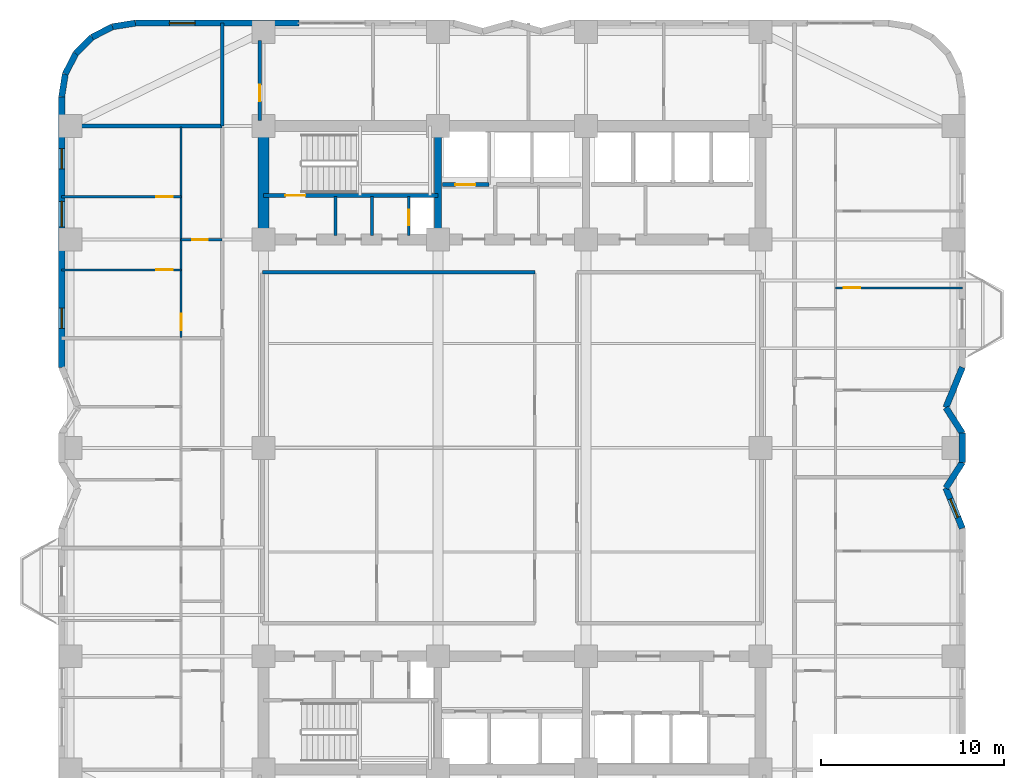
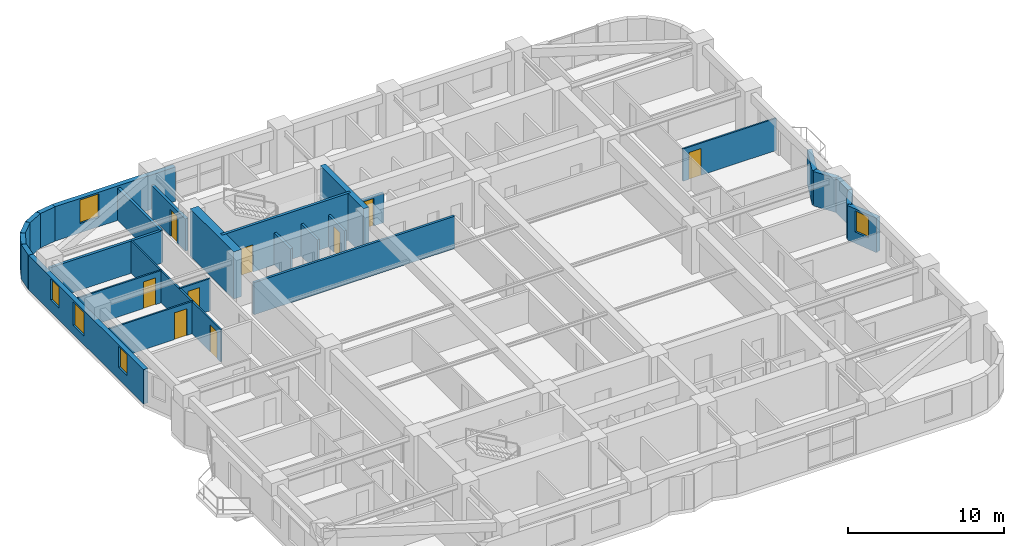
# One storey, part 9 of 13: 28 walls, 9 doors, 5 windows, 14 openings.
"""IFC4 building model written with IfcOpenShell, lengths in metres."""

import ifcopenshell
import ifcopenshell.guid

model = None  # the IFC model being written
_history = None  # IfcOwnerHistory: only IFC2X3 demands one
_inside = {}  # id of a spatial element -> (the spatial element, [elements in it])
_under = {}  # id of a project, library or spatial element -> (it, [spatial elements below it])
_declared = {}  # id of a project -> (the project, [libraries it declares])
_typed = {}  # id of a type object -> (the type object, [elements of that type])
_made_of = {}  # id of a material, layer set ... -> (it, [elements and type objects made of it])


def new_model(schema):
    """Start an empty IFC model of exactly this schema.

    Asked for "IFC4X3", IfcOpenShell would pick the latest addendum, in which some entities
    have other attributes; the version numbers below select the first issue.
    IFC2X3 requires an IfcOwnerHistory on every rooted entity: one is made here for all.
    """
    global model, _history
    if schema == "IFC4X3":
        model = ifcopenshell.file(schema_version=(4, 3, 0, 0))
    else:
        model = ifcopenshell.file(schema=schema)
    _inside.clear()
    _under.clear()
    _declared.clear()
    _typed.clear()
    _made_of.clear()
    _history = None
    if model.schema == "IFC2X3":
        org = make("IfcOrganization", Name="unknown")
        user = make(
            "IfcPersonAndOrganization",
            ThePerson=make("IfcPerson", FamilyName="unknown"),
            TheOrganization=org,
        )
        app = make(
            "IfcApplication",
            ApplicationDeveloper=org,
            Version="unknown",
            ApplicationFullName="unknown",
            ApplicationIdentifier="unknown",
        )
        _history = make(
            "IfcOwnerHistory",
            OwningUser=user,
            OwningApplication=app,
            ChangeAction="ADDED",
            CreationDate=0,
        )
    return model


def make(cls, **values):
    """One entity of the class cls with the attributes given. An attribute that is None is left unset."""
    return model.create_entity(
        cls, **{name: value for name, value in values.items() if value is not None}
    )


def rooted(cls, **values):
    """An entity with a GlobalId (a new one), such as an element, a storey or a relation."""
    return make(cls, GlobalId=ifcopenshell.guid.new(), OwnerHistory=_history, **values)


def si_unit(unit_type, name, prefix=None):
    """IfcSIUnit, for example si_unit("LENGTHUNIT", "METRE", prefix="MILLI")."""
    return make("IfcSIUnit", UnitType=unit_type, Prefix=prefix, Name=name)


def assignment(units):
    """IfcUnitAssignment: the units of a project."""
    return None if units is None else make("IfcUnitAssignment", Units=units)


def point(xyz):
    """IfcCartesianPoint."""
    return None if xyz is None else make("IfcCartesianPoint", Coordinates=xyz)


def direction(xyz):
    """IfcDirection."""
    return None if xyz is None else make("IfcDirection", DirectionRatios=xyz)


def frame(location, z_axis=None, x_axis=None):
    """IfcAxis2Placement3D, a coordinate frame: its origin and axes. An axis left out is left unset."""
    return make(
        "IfcAxis2Placement3D",
        Location=point(location),
        Axis=direction(z_axis),
        RefDirection=direction(x_axis),
    )


def frame_2d(location, x_axis=None):
    """IfcAxis2Placement2D, a coordinate frame in the plane: its origin and x axis."""
    return make(
        "IfcAxis2Placement2D", Location=point(location), RefDirection=direction(x_axis)
    )


def origin():
    """The frame at (0, 0, 0) with its axes left unset."""
    return frame((0.0, 0.0, 0.0))


def place(relative_to, where):
    """IfcLocalPlacement: puts the frame where relative to a parent placement (None: the world)."""
    return make(
        "IfcLocalPlacement", PlacementRelTo=relative_to, RelativePlacement=where
    )


def context(
    kind, dimensions, precision=None, world=None, true_north=None, identifier=None
):
    """IfcGeometricRepresentationContext, for example the 3D "Model" context."""
    return make(
        "IfcGeometricRepresentationContext",
        ContextIdentifier=identifier,
        ContextType=kind,
        CoordinateSpaceDimension=dimensions,
        Precision=precision,
        WorldCoordinateSystem=world,
        TrueNorth=true_north,
    )


def subcontext(parent, identifier, kind, view, scale=None):
    """IfcGeometricRepresentationSubContext, for example "Body" below "Model"."""
    return make(
        "IfcGeometricRepresentationSubContext",
        ContextIdentifier=identifier,
        ContextType=kind,
        ParentContext=parent,
        TargetScale=scale,
        TargetView=view,
    )


def project(units=None, contexts=None):
    """IfcProject with its units and contexts."""
    return rooted(
        "IfcProject",
        Name="project",
        RepresentationContexts=contexts,
        UnitsInContext=assignment(units),
    )


def spatial(cls, under=None, at=None, **own):
    """A site, building, storey or space (cls), placed at a placement, below another one or the project."""
    s = rooted(cls, ObjectPlacement=at, **own)
    if under is not None:
        _under.setdefault(under.id(), (under, []))[1].append(s)
    return s


def profile(cls, at=None, kind="AREA", **sizes):
    """A parametric profile (cls). Its sizes go by their IFC names, for example OverallWidth=200.0."""
    return make(cls, ProfileType=kind, Position=at, **sizes)


def rectangle(**sizes):
    """IfcRectangleProfileDef."""
    return profile("IfcRectangleProfileDef", **sizes)


def extrude(swept, where, along, depth):
    """IfcExtrudedAreaSolid: the profile swept, set in the frame where, extruded along a direction by depth."""
    return make(
        "IfcExtrudedAreaSolid",
        SweptArea=swept,
        Position=where,
        ExtrudedDirection=direction(along),
        Depth=depth,
    )


def shape(context_of_items, identifier, shape_type, items):
    """IfcShapeRepresentation: the items that make up one representation, for example the "Body"."""
    return make(
        "IfcShapeRepresentation",
        ContextOfItems=context_of_items,
        RepresentationIdentifier=identifier,
        RepresentationType=shape_type,
        Items=items,
    )


def material(Name=None, Category=None):
    """IfcMaterial."""
    return make("IfcMaterial", Name=Name, Category=Category)


def layer(
    of_material, thickness, ventilated=None, Name=None, Category=None, Priority=None
):
    """IfcMaterialLayer: one layer of a wall or slab, of a material (None: an air gap)."""
    return make(
        "IfcMaterialLayer",
        Material=of_material,
        LayerThickness=thickness,
        IsVentilated=ventilated,
        Name=Name,
        Category=Category,
        Priority=Priority,
    )


def layer_set(layers, Name=None):
    """IfcMaterialLayerSet."""
    return make("IfcMaterialLayerSet", MaterialLayers=layers, LayerSetName=Name)


def made_of(thing, what):
    """Note that an element or type object is made of a material, layer set ...; save() writes the relation."""
    if what is not None:
        _made_of.setdefault(what.id(), (what, []))[1].append(thing)
    return thing


def type_object(cls, material=None, **own):
    """A type object (cls), such as IfcWallType, which elements share."""
    return made_of(rooted(cls, **own), material)


def element(
    cls,
    number,
    at=None,
    inside=None,
    cuts=None,
    type_object=None,
    material=None,
    context=None,
    identifier="Body",
    shape_type=None,
    held_by="IfcProductDefinitionShape",
    body=None,
    shapes=None,
    **own,
):
    """One element of the class cls, such as IfcWall. Its Tag is "e" and its number.

    at: its placement. inside: the storey or other place that contains it. cuts: it is an
    opening in that element (IfcRelVoidsElement). A single representation is given by context,
    identifier, shape_type and body (its items); several are given by shapes. held_by: the class
    of the entity that holds the representations. save() writes the other relations.
    """
    e = rooted(cls, Tag="e%d" % number, ObjectPlacement=at, **own)
    if body is not None:
        shapes = [shape(context, identifier, shape_type, body)]
    if shapes is not None:
        e.Representation = make(held_by, Representations=shapes)
    if inside is not None:
        _inside.setdefault(inside.id(), (inside, []))[1].append(e)
    if cuts is not None:
        rooted(
            "IfcRelVoidsElement", RelatingBuildingElement=cuts, RelatedOpeningElement=e
        )
    if type_object is not None:
        _typed.setdefault(type_object.id(), (type_object, []))[1].append(e)
    return made_of(e, material)


def fill(opening, filler):
    """IfcRelFillsElement: the door or window that sits in an opening."""
    return rooted(
        "IfcRelFillsElement",
        RelatingOpeningElement=opening,
        RelatedBuildingElement=filler,
    )


def aggregate(whole, parts):
    """IfcRelAggregates: a whole, such as a stair, and the parts it consists of."""
    return rooted("IfcRelAggregates", RelatingObject=whole, RelatedObjects=parts)


def save(model, path):
    """Write the relations noted so far, then the file.

    IfcRelAggregates (storeys below a building ...), IfcRelContainedInSpatialStructure (elements
    in a storey), IfcRelDefinesByType, IfcRelAssociatesMaterial and IfcRelDeclares: one each for
    every whole, place, type object, material and project.
    """
    for whole, parts in _under.values():
        aggregate(whole, parts)
    for where, things in _inside.values():
        rooted(
            "IfcRelContainedInSpatialStructure",
            RelatedElements=things,
            RelatingStructure=where,
        )
    for kind, things in _typed.values():
        rooted("IfcRelDefinesByType", RelatedObjects=things, RelatingType=kind)
    for what, things in _made_of.values():
        rooted("IfcRelAssociatesMaterial", RelatedObjects=things, RelatingMaterial=what)
    for by, libraries in _declared.values():
        rooted("IfcRelDeclares", RelatingContext=by, RelatedDefinitions=libraries)
    model.write(path)


model = new_model("IFC4")

# Units and contexts
model_context = context("Model", 3, precision=1e-05, world=origin(), true_north=direction((0.0, 1.0)))
body_context = subcontext(model_context, "Body", "Model", "MODEL_VIEW")
ifc_project = project(units=[si_unit("LENGTHUNIT", "METRE"), si_unit("AREAUNIT", "SQUARE_METRE"), si_unit("VOLUMEUNIT", "CUBIC_METRE"), si_unit("PLANEANGLEUNIT", "RADIAN"), si_unit("MASSUNIT", "GRAM", prefix="KILO")], contexts=[model_context])

# Site, building, storey
site_placement = place(None, origin())
site = spatial("IfcSite", under=ifc_project, at=site_placement, CompositionType="ELEMENT")
building_placement = place(site_placement, origin())
building = spatial("IfcBuilding", under=site, at=building_placement, Name="Svetorya Sky Lyceum", CompositionType="ELEMENT")
storey_placement = place(building_placement, frame((0.0, 0.0, 39.89990234375)))
storey = spatial("IfcBuildingStorey", under=building, at=storey_placement, Name="L09", CompositionType="ELEMENT", Elevation=39.89990234375)

# Walls
ifc_material_1 = material(Name="Concrete C40/50", Category="concrete")
ifc_layer_1 = layer(ifc_material_1, 0.39990234375)
ifc_layer_set_1 = layer_set([ifc_layer_1], Name="Concrete C40/50")
wall_type_1 = type_object("IfcWallType", Name="WL-CORE-400", PredefinedType="SHEAR", material=ifc_layer_set_1)
wall_1_placement = place(storey_placement, frame((35.14990234375, 39.89990234375, 0.0), z_axis=(0.0, 0.0, 1.0), x_axis=(0.0, 1.0, 0.0)))
element("IfcWall", 1, at=wall_1_placement, inside=storey, type_object=wall_type_1, Name="L09 NC Internal Shear Web WEB1", PredefinedType="SHEAR", context=body_context, shape_type="SweptSolid", body=[
    extrude(rectangle(XDim=5.60009765625, YDim=0.39990234375, at=frame_2d((2.800048828125, 0.0))), origin(), (0.0, 0.0, 1.0), 3.7001953125),
])
ifc_material_2 = material(Name="Concrete C60/75", Category="concrete")
ifc_layer_2 = layer(ifc_material_2, 0.60009765625)
ifc_layer_set_2 = layer_set([ifc_layer_2], Name="Concrete C60/75")
wall_type_2 = type_object("IfcWallType", Name="WL-CORE-600", PredefinedType="SHEAR", material=ifc_layer_set_2)
wall_2_placement = place(storey_placement, frame((25.60009765625, 39.89990234375, 0.0), z_axis=(0.0, 0.0, 1.0), x_axis=(0.0, 1.0, 0.0)))
element("IfcWall", 2, at=wall_2_placement, inside=storey, type_object=wall_type_2, Name="L09 NC West Core Shear Wall", PredefinedType="SHEAR", context=body_context, shape_type="SweptSolid", body=[
    extrude(rectangle(XDim=5.60009765625, YDim=0.60009765625, at=frame_2d((2.800048828125, 0.0))), origin(), (0.0, 0.0, 1.0), 3.7001953125),
])

# Wall, opening, window
ifc_material_3 = material(Name="Putilovo limestone rainscreen on autoclaved cellular masonry", Category="masonry")
ifc_layer_3 = layer(ifc_material_3, 0.340087890625)
ifc_layer_set_3 = layer_set([ifc_layer_3], Name="Putilovo limestone rainscreen on autoclaved cellular masonry")
wall_type_3 = type_object("IfcWallType", Name="WL-EXT-340", PredefinedType="SOLIDWALL", material=ifc_layer_set_3)
wall_3_placement = place(storey_placement, frame((63.830078125, 23.800048828125, 0.0), z_axis=(0.0, 0.0, 1.0), x_axis=(-0.378692835005, 0.925522412865, 0.0)))
wall_3 = element("IfcWall", 3, at=wall_3_placement, inside=storey, type_object=wall_type_3, Name="L09 Limestone Exterior Wall 18M", PredefinedType="SOLIDWALL", context=body_context, shape_type="SweptSolid", body=[
    extrude(rectangle(XDim=2.376953125, YDim=0.340087890625, at=frame_2d((1.1884765625, 0.0))), origin(), (0.0, 0.0, 1.0), 2.7001953125),
])
opening_1_placement = place(wall_3_placement, frame((0.638427734375, 0.0, 0.889892578125)))
opening_1 = element("IfcOpeningElement", 4, at=opening_1_placement, cuts=wall_3, Name="Opening W-R3", PredefinedType="OPENING", context=body_context, shape_type="SweptSolid", body=[
    extrude(rectangle(XDim=1.10009765625, YDim=1.64990234375, at=frame_2d((0.550048828125, 0.824951171875))), frame((0.0, 0.179931640625, 0.0), z_axis=(0.0, -1.0, 0.0), x_axis=(1.0, 0.0, 0.0)), (0.0, 0.0, 1.0), 0.360107421875),
])
ifc_material_4 = material(Name="Thermally broken aluminium frame with triple low-E glazing", Category="aluminium")
window_type_1 = type_object("IfcWindowType", Name="WN-RES-110", PartitioningType="SINGLE_PANEL", PredefinedType="WINDOW", material=ifc_material_4)
window_1_placement = place(opening_1_placement, origin())
window_1 = element("IfcWindow", 5, at=window_1_placement, inside=storey, type_object=window_type_1, Name="L09 Facade Window W-R3.18M.1", OverallHeight=1.64990234375, OverallWidth=1.10009765625, PartitioningType="SINGLE_PANEL", PredefinedType="WINDOW", context=body_context, shape_type="SweptSolid", body=[
    extrude(rectangle(XDim=1.10009765625, YDim=1.64990234375, at=frame_2d((0.550048828125, 0.824951171875))), frame((0.0, 0.030029296875, 0.0), z_axis=(0.0, -1.0, 0.0), x_axis=(1.0, 0.0, 0.0)), (0.0, 0.0, 1.0), 0.06005859375),
])
fill(opening_1, window_1)

# Walls
wall_4_placement = place(storey_placement, frame((62.929931640625, 26.0, 0.0), z_axis=(0.0, 0.0, 1.0), x_axis=(0.540846555596, 0.841121277403, 0.0)))
element("IfcWall", 6, at=wall_4_placement, inside=storey, type_object=wall_type_3, Name="L09 Limestone Exterior Wall 19M", PredefinedType="SOLIDWALL", context=body_context, shape_type="SweptSolid", body=[
    extrude(rectangle(XDim=1.664306640625, YDim=0.340087890625, at=frame_2d((0.83203125, 0.0))), origin(), (0.0, 0.0, 1.0), 2.7001953125),
])
wall_5_placement = place(storey_placement, frame((63.830078125, 27.39990234375, 0.0), z_axis=(0.0, 0.0, 1.0), x_axis=(0.0, 1.0, 0.0)))
element("IfcWall", 7, at=wall_5_placement, inside=storey, type_object=wall_type_3, Name="L09 Limestone Exterior Wall 20M", PredefinedType="SOLIDWALL", context=body_context, shape_type="SweptSolid", body=[
    extrude(rectangle(XDim=1.60009765625, YDim=0.340087890625, at=frame_2d((0.800048828125, 0.0))), origin(), (0.0, 0.0, 1.0), 2.7001953125),
])
wall_6_placement = place(storey_placement, frame((63.830078125, 29.0, 0.0), z_axis=(0.0, 0.0, 1.0), x_axis=(-0.540846555596, 0.841121277403, 0.0)))
element("IfcWall", 8, at=wall_6_placement, inside=storey, type_object=wall_type_3, Name="L09 Limestone Exterior Wall 21M", PredefinedType="SOLIDWALL", context=body_context, shape_type="SweptSolid", body=[
    extrude(rectangle(XDim=1.664306640625, YDim=0.340087890625, at=frame_2d((0.83203125, 0.0))), origin(), (0.0, 0.0, 1.0), 2.7001953125),
])
wall_7_placement = place(storey_placement, frame((62.929931640625, 30.39990234375, 0.0), z_axis=(0.0, 0.0, 1.0), x_axis=(0.378656839344, 0.925537140269, 0.0)))
element("IfcWall", 9, at=wall_7_placement, inside=storey, type_object=wall_type_3, Name="L09 Limestone Exterior Wall 22M", PredefinedType="SOLIDWALL", context=body_context, shape_type="SweptSolid", body=[
    extrude(rectangle(XDim=2.377197265625, YDim=0.340087890625, at=frame_2d((1.1884765625, 0.0))), origin(), (0.0, 0.0, 1.0), 2.7001953125),
])

# Wall, opening, window
wall_8_placement = place(storey_placement, frame((27.550048828125, 51.429931640625, 0.0), z_axis=(0.0, 0.0, 1.0), x_axis=(-1.0, 0.0, 0.0)))
wall_8 = element("IfcWall", 10, at=wall_8_placement, inside=storey, type_object=wall_type_3, Name="L09 Limestone Exterior Wall 34B", PredefinedType="SOLIDWALL", context=body_context, shape_type="SweptSolid", body=[
    extrude(rectangle(XDim=8.949951171875, YDim=0.340087890625, at=frame_2d((4.47509765625, 0.0))), origin(), (0.0, 0.0, 1.0), 2.7001953125),
])
opening_2_placement = place(wall_8_placement, frame((5.6875, 0.0, 0.72998046875)))
opening_2 = element("IfcOpeningElement", 11, at=opening_2_placement, cuts=wall_8, Name="Opening W-R2", PredefinedType="OPENING", context=body_context, shape_type="SweptSolid", body=[
    extrude(rectangle(XDim=1.39990234375, YDim=1.85009765625, at=frame_2d((0.699951171875, 0.925048828125))), frame((0.0, 0.179931640625, 0.0), z_axis=(0.0, -1.0, 0.0), x_axis=(1.0, 0.0, 0.0)), (0.0, 0.0, 1.0), 0.360107421875),
])
window_type_2 = type_object("IfcWindowType", Name="WN-RES-140", PartitioningType="SINGLE_PANEL", PredefinedType="WINDOW", material=ifc_material_4)
window_2_placement = place(opening_2_placement, origin())
window_2 = element("IfcWindow", 12, at=window_2_placement, inside=storey, type_object=window_type_2, Name="L09 Facade Window W-R2.34B.1", OverallHeight=1.85009765625, OverallWidth=1.39990234375, PartitioningType="SINGLE_PANEL", PredefinedType="WINDOW", context=body_context, shape_type="SweptSolid", body=[
    extrude(rectangle(XDim=1.39990234375, YDim=1.85009765625, at=frame_2d((0.699951171875, 0.925048828125))), frame((0.0, 0.030029296875, 0.0), z_axis=(0.0, -1.0, 0.0), x_axis=(1.0, 0.0, 0.0)), (0.0, 0.0, 1.0), 0.06005859375),
])
fill(opening_2, window_2)

# Walls
wall_9_placement = place(storey_placement, frame((18.60009765625, 51.429931640625, 0.0), z_axis=(0.0, 0.0, 1.0), x_axis=(-0.98771582066, -0.156260864002, 0.0)))
element("IfcWall", 13, at=wall_9_placement, inside=storey, type_object=wall_type_3, Name="L09 Limestone Exterior Wall 35M", PredefinedType="SOLIDWALL", context=body_context, shape_type="SweptSolid", body=[
    extrude(rectangle(XDim=1.2607421875, YDim=0.340087890625, at=frame_2d((0.63037109375, 0.0))), origin(), (0.0, 0.0, 1.0), 2.7001953125),
])
for number, where, z_axis, x_axis, name in (
    (14, (17.354736328125, 51.23291015625, 0.0), (0.0, 0.0, 1.0), (-0.890993689142, -0.454015689056, 0.0), "L09 Limestone Exterior Wall 36M"),
    (15, (16.231201171875, 50.660400390625, 0.0), (0.0, 0.0, 1.0), (-0.707106781187, -0.707106781187, 0.0), "L09 Limestone Exterior Wall 37M"),
    (16, (15.339599609375, 49.768798828125, 0.0), (0.0, 0.0, 1.0), (-0.454015689056, -0.890993689142, 0.0), "L09 Limestone Exterior Wall 38M"),
):
    element("IfcWall", number, at=place(storey_placement, frame(where, z_axis=z_axis, x_axis=x_axis)), inside=storey, type_object=wall_type_3, Name=name, PredefinedType="SOLIDWALL", context=body_context, shape_type="SweptSolid", body=[
        extrude(rectangle(XDim=1.260986328125, YDim=0.340087890625, at=frame_2d((0.63037109375, 0.0))), origin(), (0.0, 0.0, 1.0), 2.7001953125),
    ])
wall_10_placement = place(storey_placement, frame((14.76708984375, 48.645263671875, 0.0), z_axis=(0.0, 0.0, 1.0), x_axis=(-0.156260864002, -0.98771582066, 0.0)))
element("IfcWall", 17, at=wall_10_placement, inside=storey, type_object=wall_type_3, Name="L09 Limestone Exterior Wall 39M", PredefinedType="SOLIDWALL", context=body_context, shape_type="SweptSolid", body=[
    extrude(rectangle(XDim=1.2607421875, YDim=0.340087890625, at=frame_2d((0.63037109375, 0.0))), origin(), (0.0, 0.0, 1.0), 2.7001953125),
])

# Wall, openings, windows
wall_11_placement = place(storey_placement, frame((14.570068359375, 47.39990234375, 0.0), z_axis=(0.0, 0.0, 1.0), x_axis=(0.0, -1.0, 0.0)))
wall_11 = element("IfcWall", 18, at=wall_11_placement, inside=storey, type_object=wall_type_3, Name="L09 Limestone Exterior Wall 40M", PredefinedType="SOLIDWALL", context=body_context, shape_type="SweptSolid", body=[
    extrude(rectangle(XDim=14.7998046875, YDim=0.340087890625, at=frame_2d((7.39990234375, 0.0))), origin(), (0.0, 0.0, 1.0), 2.7001953125),
])
opening_3_placement = place(wall_11_placement, frame((2.83740234375, 0.0, 0.929931640625)))
opening_3 = element("IfcOpeningElement", 19, at=opening_3_placement, cuts=wall_11, Name="Opening W-R3", PredefinedType="OPENING", context=body_context, shape_type="SweptSolid", body=[
    extrude(rectangle(XDim=1.10009765625, YDim=1.64990234375, at=frame_2d((0.550048828125, 0.824951171875))), frame((0.0, 0.179931640625, 0.0), z_axis=(0.0, -1.0, 0.0), x_axis=(1.0, 0.0, 0.0)), (0.0, 0.0, 1.0), 0.360107421875),
])
opening_4_placement = place(wall_11_placement, frame((5.719970703125, 0.0, 0.68994140625)))
opening_4 = element("IfcOpeningElement", 20, at=opening_4_placement, cuts=wall_11, Name="Opening W-R2", PredefinedType="OPENING", context=body_context, shape_type="SweptSolid", body=[
    extrude(rectangle(XDim=1.39990234375, YDim=1.85009765625, at=frame_2d((0.699951171875, 0.925048828125))), frame((0.0, 0.179931640625, 0.0), z_axis=(0.0, -1.0, 0.0), x_axis=(1.0, 0.0, 0.0)), (0.0, 0.0, 1.0), 0.360107421875),
])
opening_5_placement = place(wall_11_placement, frame((11.5625, 0.0, 0.929931640625)))
opening_5 = element("IfcOpeningElement", 21, at=opening_5_placement, cuts=wall_11, Name="Opening W-R3", PredefinedType="OPENING", context=body_context, shape_type="SweptSolid", body=[
    extrude(rectangle(XDim=1.10009765625, YDim=1.64990234375, at=frame_2d((0.550048828125, 0.824951171875))), frame((0.0, 0.179931640625, 0.0), z_axis=(0.0, -1.0, 0.0), x_axis=(1.0, 0.0, 0.0)), (0.0, 0.0, 1.0), 0.360107421875),
])
window_3_placement = place(opening_3_placement, origin())
window_3 = element("IfcWindow", 22, at=window_3_placement, inside=storey, type_object=window_type_1, Name="L09 Facade Window W-R3.40M.1", OverallHeight=1.64990234375, OverallWidth=1.10009765625, PartitioningType="SINGLE_PANEL", PredefinedType="WINDOW", context=body_context, shape_type="SweptSolid", body=[
    extrude(rectangle(XDim=1.10009765625, YDim=1.64990234375, at=frame_2d((0.550048828125, 0.824951171875))), frame((0.0, 0.030029296875, 0.0), z_axis=(0.0, -1.0, 0.0), x_axis=(1.0, 0.0, 0.0)), (0.0, 0.0, 1.0), 0.06005859375),
])
fill(opening_3, window_3)
window_4_placement = place(opening_5_placement, origin())
window_4 = element("IfcWindow", 23, at=window_4_placement, inside=storey, type_object=window_type_1, Name="L09 Facade Window W-R3.40M.2", OverallHeight=1.64990234375, OverallWidth=1.10009765625, PartitioningType="SINGLE_PANEL", PredefinedType="WINDOW", context=body_context, shape_type="SweptSolid", body=[
    extrude(rectangle(XDim=1.10009765625, YDim=1.64990234375, at=frame_2d((0.550048828125, 0.824951171875))), frame((0.0, 0.030029296875, 0.0), z_axis=(0.0, -1.0, 0.0), x_axis=(1.0, 0.0, 0.0)), (0.0, 0.0, 1.0), 0.06005859375),
])
fill(opening_5, window_4)
window_5_placement = place(opening_4_placement, origin())
window_5 = element("IfcWindow", 24, at=window_5_placement, inside=storey, type_object=window_type_2, Name="L09 Facade Window W-R2.40M.3", OverallHeight=1.85009765625, OverallWidth=1.39990234375, PartitioningType="SINGLE_PANEL", PredefinedType="WINDOW", context=body_context, shape_type="SweptSolid", body=[
    extrude(rectangle(XDim=1.39990234375, YDim=1.85009765625, at=frame_2d((0.699951171875, 0.925048828125))), frame((0.0, 0.030029296875, 0.0), z_axis=(0.0, -1.0, 0.0), x_axis=(1.0, 0.0, 0.0)), (0.0, 0.0, 1.0), 0.06005859375),
])
fill(opening_4, window_5)

# Wall, opening, door
ifc_material_5 = material(Name="Twin-stud galvanized framing with double fireboard", Category="gypsum")
ifc_layer_4 = layer(ifc_material_5, 0.1201171875)
ifc_layer_set_4 = layer_set([ifc_layer_4], Name="Twin-stud galvanized framing with double fireboard")
wall_type_4 = type_object("IfcWallType", Name="WL-PART-120", PredefinedType="PARTITIONING", material=ifc_layer_set_4)
wall_12_placement = place(storey_placement, frame((21.10009765625, 39.583984375, 0.0), z_axis=(0.0, 0.0, 1.0), x_axis=(1.0, 0.0, 0.0)))
wall_12 = element("IfcWall", 25, at=wall_12_placement, inside=storey, type_object=wall_type_4, Name="L09 Interior Partition W3-WH1", PredefinedType="PARTITIONING", context=body_context, shape_type="SweptSolid", body=[
    extrude(rectangle(XDim=2.25, YDim=0.1201171875, at=frame_2d((1.125, 0.0))), origin(), (0.0, 0.0, 1.0), 2.530029296875),
])
opening_6_placement = place(wall_12_placement, frame((0.60009765625, 0.0, 0.0)))
opening_6 = element("IfcOpeningElement", 26, at=opening_6_placement, cuts=wall_12, Name="Opening D-BT1", PredefinedType="OPENING", context=body_context, shape_type="SweptSolid", body=[
    extrude(rectangle(XDim=0.85009765625, YDim=2.10009765625, at=frame_2d((0.425048828125, 1.050048828125))), frame((0.0, 0.070068359375, 0.0), z_axis=(0.0, -1.0, 0.0), x_axis=(1.0, 0.0, 0.0)), (0.0, 0.0, 1.0), 0.14013671875),
])
ifc_material_6 = material(Name="Moisture-resistant laminate bathroom door")
door_type_1 = type_object("IfcDoorType", Name="DR-WET-850", OperationType="SINGLE_SWING_LEFT", PredefinedType="DOOR", material=ifc_material_6)
door_1_placement = place(opening_6_placement, origin())
door_1 = element("IfcDoor", 27, at=door_1_placement, inside=storey, type_object=door_type_1, Name="Apartment W3 Bathroom Door", OperationType="SINGLE_SWING_LEFT", OverallHeight=2.10009765625, OverallWidth=0.85009765625, PredefinedType="DOOR", context=body_context, shape_type="SweptSolid", body=[
    extrude(rectangle(XDim=0.85009765625, YDim=2.10009765625, at=frame_2d((0.425048828125, 1.050048828125))), frame((0.0, 0.02490234375, 0.0), z_axis=(0.0, -1.0, 0.0), x_axis=(1.0, 0.0, 0.0)), (0.0, 0.0, 1.0), 0.050048828125),
])
fill(opening_6, door_1)

wall_13_placement = place(storey_placement, frame((14.570068359375, 37.93408203125, 0.0), z_axis=(0.0, 0.0, 1.0), x_axis=(1.0, 0.0, 0.0)))
wall_13 = element("IfcWall", 28, at=wall_13_placement, inside=storey, type_object=wall_type_4, Name="L09 Interior Partition W3-WL1", PredefinedType="PARTITIONING", context=body_context, shape_type="SweptSolid", body=[
    extrude(rectangle(XDim=6.530029296875, YDim=0.1201171875, at=frame_2d((3.26513671875, 0.0))), origin(), (0.0, 0.0, 1.0), 2.530029296875),
])
opening_7_placement = place(wall_13_placement, frame((5.179931640625, 0.0, 0.0)))
opening_7 = element("IfcOpeningElement", 29, at=opening_7_placement, cuts=wall_13, Name="Opening D-RM1", PredefinedType="OPENING", context=body_context, shape_type="SweptSolid", body=[
    extrude(rectangle(XDim=0.89990234375, YDim=2.10009765625, at=frame_2d((0.449951171875, 1.050048828125))), frame((0.0, 0.070068359375, 0.0), z_axis=(0.0, -1.0, 0.0), x_axis=(1.0, 0.0, 0.0)), (0.0, 0.0, 1.0), 0.14013671875),
])
ifc_material_7 = material(Name="Lacquered birch veneer internal door")
door_type_2 = type_object("IfcDoorType", Name="DR-INT-900", OperationType="SINGLE_SWING_LEFT", PredefinedType="DOOR", material=ifc_material_7)
door_2_placement = place(opening_7_placement, origin())
door_2 = element("IfcDoor", 30, at=door_2_placement, inside=storey, type_object=door_type_2, Name="Apartment W3 Master Bedroom Door", OperationType="SINGLE_SWING_LEFT", OverallHeight=2.10009765625, OverallWidth=0.89990234375, PredefinedType="DOOR", context=body_context, shape_type="SweptSolid", body=[
    extrude(rectangle(XDim=0.89990234375, YDim=2.10009765625, at=frame_2d((0.449951171875, 1.050048828125))), frame((0.0, 0.02490234375, 0.0), z_axis=(0.0, -1.0, 0.0), x_axis=(1.0, 0.0, 0.0)), (0.0, 0.0, 1.0), 0.050048828125),
])
fill(opening_7, door_2)

wall_14_placement = place(storey_placement, frame((14.570068359375, 41.93408203125, 0.0), z_axis=(0.0, 0.0, 1.0), x_axis=(1.0, 0.0, 0.0)))
wall_14 = element("IfcWall", 31, at=wall_14_placement, inside=storey, type_object=wall_type_4, Name="L09 Interior Partition W3-WL2", PredefinedType="PARTITIONING", context=body_context, shape_type="SweptSolid", body=[
    extrude(rectangle(XDim=6.530029296875, YDim=0.1201171875, at=frame_2d((3.26513671875, 0.0))), origin(), (0.0, 0.0, 1.0), 2.530029296875),
])
opening_8_placement = place(wall_14_placement, frame((5.179931640625, 0.0, 0.0)))
opening_8 = element("IfcOpeningElement", 32, at=opening_8_placement, cuts=wall_14, Name="Opening D-RM1", PredefinedType="OPENING", context=body_context, shape_type="SweptSolid", body=[
    extrude(rectangle(XDim=0.89990234375, YDim=2.10009765625, at=frame_2d((0.449951171875, 1.050048828125))), frame((0.0, 0.070068359375, 0.0), z_axis=(0.0, -1.0, 0.0), x_axis=(1.0, 0.0, 0.0)), (0.0, 0.0, 1.0), 0.14013671875),
])
door_3_placement = place(opening_8_placement, origin())
door_3 = element("IfcDoor", 33, at=door_3_placement, inside=storey, type_object=door_type_2, Name="Apartment W3 Bedroom 2 Door", OperationType="SINGLE_SWING_RIGHT", OverallHeight=2.10009765625, OverallWidth=0.89990234375, PredefinedType="DOOR", context=body_context, shape_type="SweptSolid", body=[
    extrude(rectangle(XDim=0.89990234375, YDim=2.10009765625, at=frame_2d((0.449951171875, 1.050048828125))), frame((0.0, 0.02490234375, 0.0), z_axis=(0.0, -1.0, 0.0), x_axis=(1.0, 0.0, 0.0)), (0.0, 0.0, 1.0), 0.050048828125),
])
fill(opening_8, door_3)

wall_15_placement = place(storey_placement, frame((21.10009765625, 34.22412109375, 0.0), z_axis=(0.0, 0.0, 1.0), x_axis=(0.0, 1.0, 0.0)))
wall_15 = element("IfcWall", 34, at=wall_15_placement, inside=storey, type_object=wall_type_4, Name="L09 Interior Partition W3-WV", PredefinedType="PARTITIONING", context=body_context, shape_type="SweptSolid", body=[
    extrude(rectangle(XDim=11.535888671875, YDim=0.1201171875, at=frame_2d((5.76806640625, 0.0))), origin(), (0.0, 0.0, 1.0), 2.530029296875),
])
opening_9_placement = place(wall_15_placement, frame((0.409912109375, 0.0, 0.0)))
opening_9 = element("IfcOpeningElement", 35, at=opening_9_placement, cuts=wall_15, Name="Opening D-RM1", PredefinedType="OPENING", context=body_context, shape_type="SweptSolid", body=[
    extrude(rectangle(XDim=0.89990234375, YDim=2.10009765625, at=frame_2d((0.449951171875, 1.050048828125))), frame((0.0, 0.070068359375, 0.0), z_axis=(0.0, -1.0, 0.0), x_axis=(1.0, 0.0, 0.0)), (0.0, 0.0, 1.0), 0.14013671875),
])
door_4_placement = place(opening_9_placement, origin())
door_4 = element("IfcDoor", 36, at=door_4_placement, inside=storey, type_object=door_type_2, Name="Apartment W3 Living Door", OperationType="SINGLE_SWING_RIGHT", OverallHeight=2.10009765625, OverallWidth=0.89990234375, PredefinedType="DOOR", context=body_context, shape_type="SweptSolid", body=[
    extrude(rectangle(XDim=0.89990234375, YDim=2.10009765625, at=frame_2d((0.449951171875, 1.050048828125))), frame((0.0, 0.02490234375, 0.0), z_axis=(0.0, -1.0, 0.0), x_axis=(1.0, 0.0, 0.0)), (0.0, 0.0, 1.0), 0.050048828125),
])
fill(opening_9, door_4)

wall_16_placement = place(storey_placement, frame((56.89990234375, 36.949951171875, 0.0), z_axis=(0.0, 0.0, 1.0), x_axis=(1.0, 0.0, 0.0)))
wall_16 = element("IfcWall", 37, at=wall_16_placement, inside=storey, type_object=wall_type_4, Name="L09 Interior Partition E2-WL2", PredefinedType="PARTITIONING", context=body_context, shape_type="SweptSolid", body=[
    extrude(rectangle(XDim=6.93017578125, YDim=0.1201171875, at=frame_2d((3.465087890625, 0.0))), origin(), (0.0, 0.0, 1.0), 2.530029296875),
])
opening_10_placement = place(wall_16_placement, frame((0.449951171875, 0.0, 0.0)))
opening_10 = element("IfcOpeningElement", 38, at=opening_10_placement, cuts=wall_16, Name="Opening D-RM1", PredefinedType="OPENING", context=body_context, shape_type="SweptSolid", body=[
    extrude(rectangle(XDim=0.89990234375, YDim=2.10009765625, at=frame_2d((0.449951171875, 1.050048828125))), frame((0.0, 0.070068359375, 0.0), z_axis=(0.0, -1.0, 0.0), x_axis=(1.0, 0.0, 0.0)), (0.0, 0.0, 1.0), 0.14013671875),
])
door_5_placement = place(opening_10_placement, origin())
door_5 = element("IfcDoor", 39, at=door_5_placement, inside=storey, type_object=door_type_2, Name="Apartment E2 Bedroom 2 Door", OperationType="SINGLE_SWING_RIGHT", OverallHeight=2.10009765625, OverallWidth=0.89990234375, PredefinedType="DOOR", context=body_context, shape_type="SweptSolid", body=[
    extrude(rectangle(XDim=0.89990234375, YDim=2.10009765625, at=frame_2d((0.449951171875, 1.050048828125))), frame((0.0, 0.02490234375, 0.0), z_axis=(0.0, -1.0, 0.0), x_axis=(1.0, 0.0, 0.0)), (0.0, 0.0, 1.0), 0.050048828125),
])
fill(opening_10, door_5)

ifc_material_8 = material(Name="Autoclaved cellular masonry blockwork with acoustic render", Category="masonry")
ifc_layer_5 = layer(ifc_material_8, 0.14990234375)
ifc_layer_set_5 = layer_set([ifc_layer_5], Name="Autoclaved cellular masonry blockwork with acoustic render")
wall_type_5 = type_object("IfcWallType", Name="WL-PART-150", PredefinedType="PARTITIONING", material=ifc_layer_set_5)
wall_17_placement = place(storey_placement, frame((33.550048828125, 39.820068359375, 0.0), z_axis=(0.0, 0.0, 1.0), x_axis=(0.0, 1.0, 0.0)))
wall_17 = element("IfcWall", 40, at=wall_17_placement, inside=storey, type_object=wall_type_5, Name="L09 Interior Partition NC-RSRW", PredefinedType="PARTITIONING", context=body_context, shape_type="SweptSolid", body=[
    extrude(rectangle(XDim=2.1298828125, YDim=0.14990234375, at=frame_2d((1.06494140625, 0.0))), origin(), (0.0, 0.0, 1.0), 2.530029296875),
])
opening_11_placement = place(wall_17_placement, frame((0.550048828125, 0.0, 0.0)))
opening_11 = element("IfcOpeningElement", 41, at=opening_11_placement, cuts=wall_17, Name="Opening D-SH1", PredefinedType="OPENING", context=body_context, shape_type="SweptSolid", body=[
    extrude(rectangle(XDim=0.85009765625, YDim=2.050048828125, at=frame_2d((0.425048828125, 1.02490234375))), frame((0.0, 0.0849609375, 0.0), z_axis=(0.0, -1.0, 0.0), x_axis=(1.0, 0.0, 0.0)), (0.0, 0.0, 1.0), 0.169921875),
])
ifc_material_9 = material(Name="Insulated galvanized riser inspection fire door")
door_type_3 = type_object("IfcDoorType", Name="DR-SHFT-850", OperationType="SINGLE_SWING_LEFT", PredefinedType="TRAPDOOR", material=ifc_material_9)
door_6_placement = place(opening_11_placement, origin())
door_6 = element("IfcDoor", 42, at=door_6_placement, inside=storey, type_object=door_type_3, Name="L09 North Riser Access Door", OperationType="SINGLE_SWING_LEFT", OverallHeight=2.050048828125, OverallWidth=0.85009765625, PredefinedType="TRAPDOOR", context=body_context, shape_type="SweptSolid", body=[
    extrude(rectangle(XDim=0.85009765625, YDim=2.050048828125, at=frame_2d((0.425048828125, 1.02490234375))), frame((0.0, 0.02490234375, 0.0), z_axis=(0.0, -1.0, 0.0), x_axis=(1.0, 0.0, 0.0)), (0.0, 0.0, 1.0), 0.050048828125),
])
fill(opening_11, door_6)

# Walls
ifc_material_10 = material(Name="Autoclaved cellular masonry blockwork with fire render", Category="masonry")
ifc_layer_6 = layer(ifc_material_10, 0.175048828125)
ifc_layer_set_6 = layer_set([ifc_layer_6], Name="Autoclaved cellular masonry blockwork with fire render")
wall_type_6 = type_object("IfcWallType", Name="WL-PART-175", PredefinedType="PARTITIONING", material=ifc_layer_set_6)
for number, where, z_axis, x_axis, name in (
    (43, (29.550048828125, 39.820068359375, 0.0), (0.0, 0.0, 1.0), (0.0, 1.0, 0.0), "L09 Interior Partition NC-NWD1"),
    (44, (31.550048828125, 39.820068359375, 0.0), (0.0, 0.0, 1.0), (0.0, 1.0, 0.0), "L09 Interior Partition NC-NWD2"),
):
    element("IfcWall", number, at=place(storey_placement, frame(where, z_axis=z_axis, x_axis=x_axis)), inside=storey, type_object=wall_type_6, Name=name, PredefinedType="PARTITIONING", context=body_context, shape_type="SweptSolid", body=[
        extrude(rectangle(XDim=2.1298828125, YDim=0.175048828125, at=frame_2d((1.06494140625, 0.0))), origin(), (0.0, 0.0, 1.0), 2.530029296875),
    ])
wall_18_placement = place(storey_placement, frame((25.550048828125, 37.800048828125, 0.0), z_axis=(0.0, 0.0, 1.0), x_axis=(1.0, 0.0, 0.0)))
element("IfcWall", 45, at=wall_18_placement, inside=storey, type_object=wall_type_6, Name="L09 Interior Partition CN-MID-W", PredefinedType="PARTITIONING", context=body_context, shape_type="SweptSolid", body=[
    extrude(rectangle(XDim=14.89990234375, YDim=0.175048828125, at=frame_2d((7.449951171875, 0.0))), origin(), (0.0, 0.0, 1.0), 2.530029296875),
])

# Wall, opening, door
ifc_material_11 = material(Name="Autoclaved cellular masonry blockwork with gypsum plaster", Category="masonry")
ifc_layer_7 = layer(ifc_material_11, 0.199951171875)
ifc_layer_set_7 = layer_set([ifc_layer_7], Name="Autoclaved cellular masonry blockwork with gypsum plaster")
wall_type_7 = type_object("IfcWallType", Name="WL-PART-200", PredefinedType="PARTITIONING", material=ifc_layer_set_7)
wall_19_placement = place(storey_placement, frame((37.949951171875, 42.60009765625, 0.0), z_axis=(0.0, 0.0, 1.0), x_axis=(-1.0, 0.0, 0.0)))
wall_19 = element("IfcWall", 46, at=wall_19_placement, inside=storey, type_object=wall_type_7, Name="L09 Interior Partition NC-FL1W", PredefinedType="PARTITIONING", context=body_context, shape_type="SweptSolid", body=[
    extrude(rectangle(XDim=2.550048828125, YDim=0.199951171875, at=frame_2d((1.27490234375, 0.0))), origin(), (0.0, 0.0, 1.0), 2.300048828125),
])
opening_12_placement = place(wall_19_placement, frame((0.75, 0.0, 0.0)))
opening_12 = element("IfcOpeningElement", 47, at=opening_12_placement, cuts=wall_19, Name="Opening LD-FL", PredefinedType="OPENING", context=body_context, shape_type="SweptSolid", body=[
    extrude(rectangle(XDim=1.10009765625, YDim=2.14990234375, at=frame_2d((0.550048828125, 1.074951171875))), frame((0.0, 0.10986328125, 0.0), z_axis=(0.0, -1.0, 0.0), x_axis=(1.0, 0.0, 0.0)), (0.0, 0.0, 1.0), 0.219970703125),
])
ifc_material_12 = material(Name="Fire-rated stainless AISI 304 firefighting lift landing door")
door_type_4 = type_object("IfcDoorType", Name="DR-LIFT-1100", OperationType="SLIDING_TO_LEFT", PredefinedType="DOOR", material=ifc_material_12)
door_7_placement = place(opening_12_placement, origin())
door_7 = element("IfcDoor", 48, at=door_7_placement, inside=storey, type_object=door_type_4, Name="L09 Firefighting Lift FL1 Landing Door", OperationType="SLIDING_TO_LEFT", OverallHeight=2.14990234375, OverallWidth=1.10009765625, PredefinedType="DOOR", context=body_context, shape_type="SweptSolid", body=[
    extrude(rectangle(XDim=1.10009765625, YDim=2.14990234375, at=frame_2d((0.550048828125, 1.074951171875))), frame((0.0, 0.02490234375, 0.0), z_axis=(0.0, -1.0, 0.0), x_axis=(1.0, 0.0, 0.0)), (0.0, 0.0, 1.0), 0.050048828125),
])
fill(opening_12, door_7)

# Walls
wall_20_placement = place(storey_placement, frame((14.989990234375, 45.800048828125, 0.0), z_axis=(0.0, 0.0, 1.0), x_axis=(1.0, 0.0, 0.0)))
element("IfcWall", 49, at=wall_20_placement, inside=storey, type_object=wall_type_7, Name="L09 Interior Partition W-CAP-N", PredefinedType="PARTITIONING", context=body_context, shape_type="SweptSolid", body=[
    extrude(rectangle(XDim=8.360107421875, YDim=0.199951171875, at=frame_2d((4.18017578125, 0.0))), origin(), (0.0, 0.0, 1.0), 2.530029296875),
])
wall_21_placement = place(storey_placement, frame((23.35009765625, 45.800048828125, 0.0), z_axis=(0.0, 0.0, 1.0), x_axis=(0.0, 1.0, 0.0)))
element("IfcWall", 50, at=wall_21_placement, inside=storey, type_object=wall_type_7, Name="L09 Interior Partition WC-NW-END", PredefinedType="PARTITIONING", context=body_context, shape_type="SweptSolid", body=[
    extrude(rectangle(XDim=5.6298828125, YDim=0.199951171875, at=frame_2d((2.81494140625, 0.0))), origin(), (0.0, 0.0, 1.0), 2.530029296875),
])

# Wall, opening, door
wall_22_placement = place(storey_placement, frame((25.39990234375, 46.10009765625, 0.0), z_axis=(0.0, 0.0, 1.0), x_axis=(0.0, 1.0, 0.0)))
wall_22 = element("IfcWall", 51, at=wall_22_placement, inside=storey, type_object=wall_type_7, Name="L09 Interior Partition N4-EW", PredefinedType="PARTITIONING", context=body_context, shape_type="SweptSolid", body=[
    extrude(rectangle(XDim=4.3798828125, YDim=0.199951171875, at=frame_2d((2.18994140625, 0.0))), origin(), (0.0, 0.0, 1.0), 2.530029296875),
])
opening_13_placement = place(wall_22_placement, frame((1.050048828125, 0.0, 0.0)))
opening_13 = element("IfcOpeningElement", 52, at=opening_13_placement, cuts=wall_22, Name="Opening D-RM1", PredefinedType="OPENING", context=body_context, shape_type="SweptSolid", body=[
    extrude(rectangle(XDim=0.89990234375, YDim=2.10009765625, at=frame_2d((0.449951171875, 1.050048828125))), frame((0.0, 0.10986328125, 0.0), z_axis=(0.0, -1.0, 0.0), x_axis=(1.0, 0.0, 0.0)), (0.0, 0.0, 1.0), 0.219970703125),
])
door_8_placement = place(opening_13_placement, origin())
door_8 = element("IfcDoor", 53, at=door_8_placement, inside=storey, type_object=door_type_2, Name="L09 NW Study Door", OperationType="SINGLE_SWING_RIGHT", OverallHeight=2.10009765625, OverallWidth=0.89990234375, PredefinedType="DOOR", context=body_context, shape_type="SweptSolid", body=[
    extrude(rectangle(XDim=0.89990234375, YDim=2.10009765625, at=frame_2d((0.449951171875, 1.050048828125))), frame((0.0, 0.02490234375, 0.0), z_axis=(0.0, -1.0, 0.0), x_axis=(1.0, 0.0, 0.0)), (0.0, 0.0, 1.0), 0.050048828125),
])
fill(opening_13, door_8)

ifc_material_13 = material(Name="Concrete C50/60", Category="concrete")
ifc_layer_8 = layer(ifc_material_13, 0.199951171875)
ifc_layer_set_8 = layer_set([ifc_layer_8], Name="Concrete C50/60")
wall_type_8 = type_object("IfcWallType", Name="WL-SHW-200", PredefinedType="SHEAR", material=ifc_layer_set_8)
wall_23_placement = place(storey_placement, frame((35.14990234375, 42.0, 0.0), z_axis=(0.0, 0.0, 1.0), x_axis=(-1.0, 0.0, 0.0)))
wall_23 = element("IfcWall", 54, at=wall_23_placement, inside=storey, type_object=wall_type_8, Name="L09 Structural Stair Shaft Wall NC-STW", PredefinedType="SHEAR", context=body_context, shape_type="SweptSolid", body=[
    extrude(rectangle(XDim=9.5498046875, YDim=0.199951171875, at=frame_2d((4.77490234375, 0.0))), origin(), (0.0, 0.0, 1.0), 3.7001953125),
])
opening_14_placement = place(wall_23_placement, frame((7.25, 0.0, 0.0)))
opening_14 = element("IfcOpeningElement", 55, at=opening_14_placement, cuts=wall_23, Name="Opening D-ST1", PredefinedType="OPENING", context=body_context, shape_type="SweptSolid", body=[
    extrude(rectangle(XDim=1.10009765625, YDim=2.14990234375, at=frame_2d((0.550048828125, 1.074951171875))), frame((0.0, 0.10986328125, 0.0), z_axis=(0.0, -1.0, 0.0), x_axis=(1.0, 0.0, 0.0)), (0.0, 0.0, 1.0), 0.219970703125),
])
ifc_material_14 = material(Name="Powder-coated insulated galvanized stair fire door")
door_type_5 = type_object("IfcDoorType", Name="DR-FIRE-1100", OperationType="SINGLE_SWING_LEFT", PredefinedType="DOOR", material=ifc_material_14)
door_9_placement = place(opening_14_placement, origin())
door_9 = element("IfcDoor", 56, at=door_9_placement, inside=storey, type_object=door_type_5, Name="L09 Stair ST-N Vestibule Fire Door", OperationType="SINGLE_SWING_RIGHT", OverallHeight=2.14990234375, OverallWidth=1.10009765625, PredefinedType="DOOR", context=body_context, shape_type="SweptSolid", body=[
    extrude(rectangle(XDim=1.10009765625, YDim=2.14990234375, at=frame_2d((0.550048828125, 1.074951171875))), frame((0.0, 0.02490234375, 0.0), z_axis=(0.0, -1.0, 0.0), x_axis=(1.0, 0.0, 0.0)), (0.0, 0.0, 1.0), 0.050048828125),
])
fill(opening_14, door_9)

save(model, "model.ifc")
